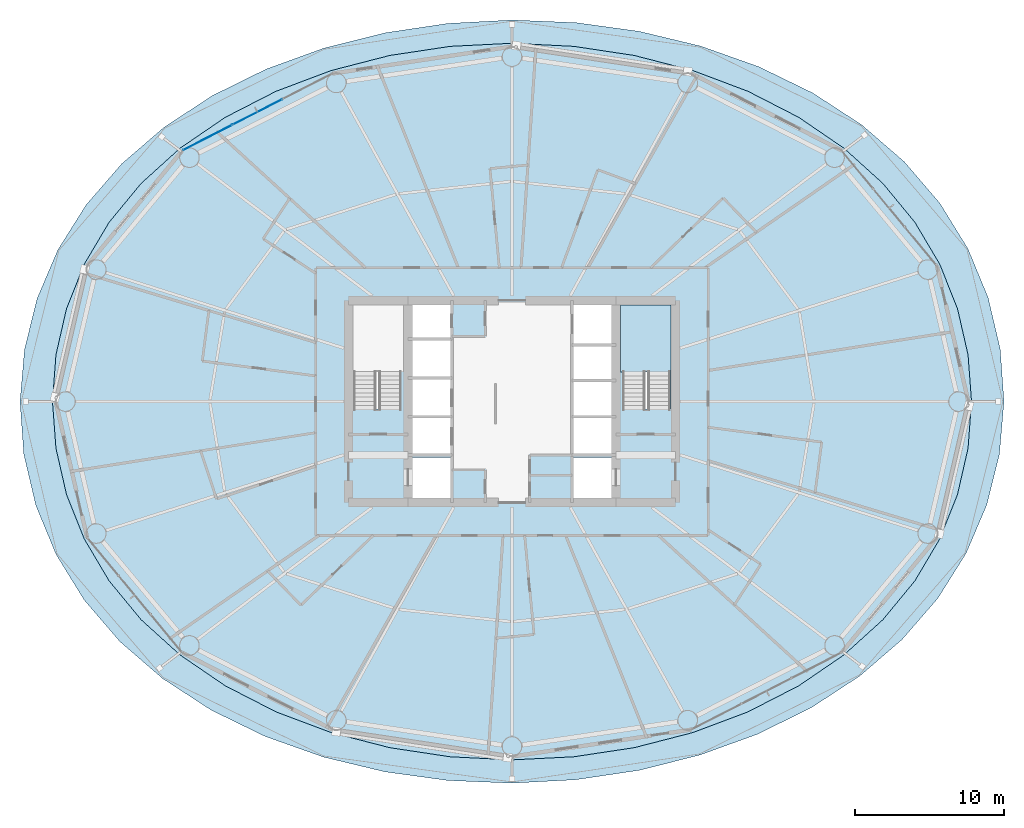
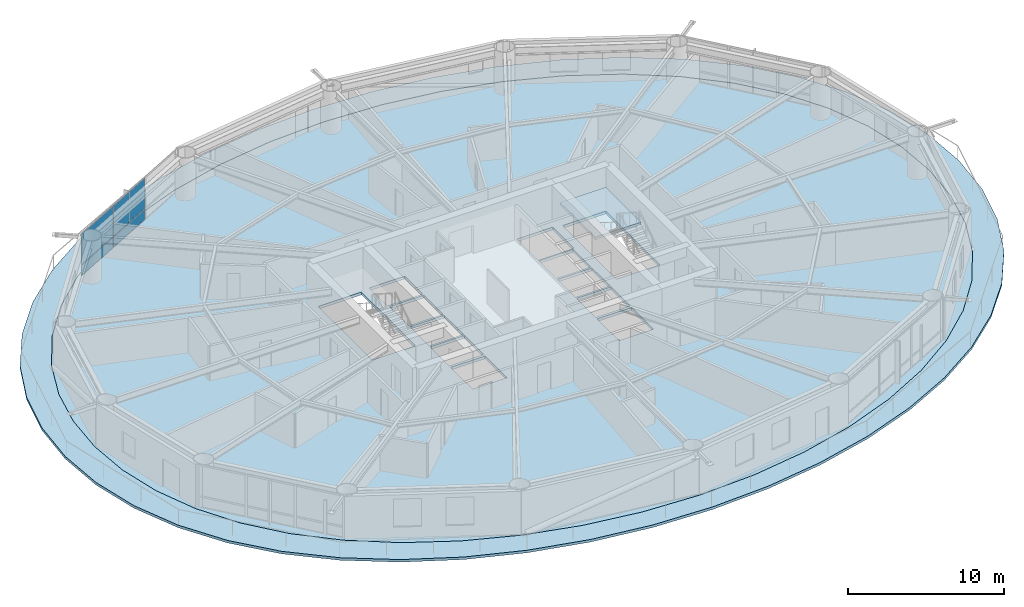
# One storey, part 17 of 26: 4 plates, 3 slabs, 2 elements without a shape of their own.
"""IFC4 building model written with IfcOpenShell, lengths in metres."""

from ifc_helpers import new_model, si_unit, direction, frame, origin, origin_2d, place, context, subcontext, project, spatial, polyline, rectangle, outline, extrude, material, layer, layer_set, type_object, element, aggregate, save


model = new_model("IFC4")

# Units and contexts
model_context = context("Model", 3, precision=1e-05, world=origin(), true_north=direction((0.0, 1.0)))
body_context = subcontext(model_context, "Body", "Model", "MODEL_VIEW")
ifc_project = project(units=[si_unit("LENGTHUNIT", "METRE"), si_unit("AREAUNIT", "SQUARE_METRE"), si_unit("VOLUMEUNIT", "CUBIC_METRE"), si_unit("PLANEANGLEUNIT", "RADIAN"), si_unit("MASSUNIT", "GRAM", prefix="KILO")], contexts=[model_context])

# Site, building, storey
site_placement = place(None, origin())
site = spatial("IfcSite", under=ifc_project, at=site_placement, CompositionType="ELEMENT")
building_placement = place(site_placement, origin())
building = spatial("IfcBuilding", under=site, at=building_placement, Name="Sarneth Arch Tower", CompositionType="ELEMENT")
storey_placement = place(building_placement, frame((0.0, 0.0, 60.60009765625)))
storey = spatial("IfcBuildingStorey", under=building, at=storey_placement, Name="L14", CompositionType="ELEMENT", Elevation=60.60009765625)

# Curtain wall, plates
ifc_material_1 = material(Name="Anodised aluminium Type AA25 and solar-control low-e laminated IGU", Category="aluminium")
ifc_layer_1 = layer(ifc_material_1, 0.159912109375)
ifc_layer_set_1 = layer_set([ifc_layer_1], Name="Anodised aluminium Type AA25 and solar-control low-e laminated IGU")
curtain_wall_type = type_object("IfcCurtainWallType", Name="CW-HOTEL-LOW", PredefinedType="NOTDEFINED", material=ifc_layer_set_1)
curtain_wall_placement = place(storey_placement, origin())
curtain_wall = element("IfcCurtainWall", 1, at=curtain_wall_placement, inside=storey, type_object=curtain_wall_type, Name="L14 Unitised curtain wall facet 06", PredefinedType="NOTDEFINED")
ifc_material_2 = material(Name="Solar-control low-e laminated IGU", Category="glass")
ifc_layer_2 = layer(ifc_material_2, 0.028076171875)
ifc_layer_set_2 = layer_set([ifc_layer_2], Name="Solar-control low-e laminated IGU")
plate_type = type_object("IfcPlateType", Name="CW-PANEL", PredefinedType="CURTAIN_PANEL", material=ifc_layer_set_2)
plate_1_placement = place(storey_placement, frame((30.8740234375, 61.473876953125, 0.059814453125), z_axis=(0.0, 0.0, 1.0), x_axis=(-0.889854100456, -0.456245197127, 0.0)))
plate_1 = element("IfcPlate", 2, at=plate_1_placement, type_object=plate_type, Name="Curtain wall glazed vision pane CW-L14-F06/P01-00", PredefinedType="CURTAIN_PANEL", context=body_context, shape_type="SweptSolid", body=[
    extrude(rectangle(XDim=3.721923828125, YDim=0.028076171875, at=origin_2d()), origin(), (0.0, 0.0, 1.0), 0.81005859375),
])
plate_2_placement = place(storey_placement, frame((30.8740234375, 61.473876953125, 0.93017578125), z_axis=(0.0, 0.0, 1.0), x_axis=(-0.889854100456, -0.456245197127, 0.0)))
plate_2 = element("IfcPlate", 3, at=plate_2_placement, type_object=plate_type, Name="Curtain wall glazed vision pane CW-L14-F06/P01-01", PredefinedType="CURTAIN_PANEL", context=body_context, shape_type="SweptSolid", body=[
    extrude(rectangle(XDim=3.721923828125, YDim=0.028076171875, at=origin_2d()), origin(), (0.0, 0.0, 1.0), 2.389892578125),
])
plate_3_placement = place(storey_placement, frame((27.52197265625, 59.75537109375, 0.059814453125), z_axis=(0.0, 0.0, 1.0), x_axis=(-0.889854100456, -0.456245197127, 0.0)))
plate_3 = element("IfcPlate", 4, at=plate_3_placement, type_object=plate_type, Name="Curtain wall glazed vision pane CW-L14-F06/P02-00", PredefinedType="CURTAIN_PANEL", context=body_context, shape_type="SweptSolid", body=[
    extrude(rectangle(XDim=3.69189453125, YDim=0.028076171875, at=origin_2d()), origin(), (0.0, 0.0, 1.0), 0.81005859375),
])
plate_4_placement = place(storey_placement, frame((27.52197265625, 59.75537109375, 0.93017578125), z_axis=(0.0, 0.0, 1.0), x_axis=(-0.889854100456, -0.456245197127, 0.0)))
plate_4 = element("IfcPlate", 5, at=plate_4_placement, type_object=plate_type, Name="Curtain wall glazed vision pane CW-L14-F06/P02-01", PredefinedType="CURTAIN_PANEL", context=body_context, shape_type="SweptSolid", body=[
    extrude(rectangle(XDim=3.69189453125, YDim=0.028076171875, at=origin_2d()), origin(), (0.0, 0.0, 1.0), 2.389892578125),
])
aggregate(curtain_wall, [plate_1, plate_2, plate_3, plate_4])

# Slab
ifc_material_3 = material(Name="Concrete C50/60", Category="concrete")
ifc_layer_3 = layer(ifc_material_3, 0.199951171875)
ifc_layer_set_3 = layer_set([ifc_layer_3], Name="Concrete C50/60")
slab_type_1 = type_object("IfcSlabType", Name="SLAB-BALC-200", PredefinedType="FLOOR", material=ifc_layer_set_3)
slab_1_placement = place(storey_placement, frame((0.0, 0.0, -0.2001953125)))
element("IfcSlab", 6, at=slab_1_placement, inside=storey, type_object=slab_type_1, Name="L14 Helical balcony band slab", PredefinedType="FLOOR", context=body_context, shape_type="SweptSolid", body=[
    extrude(outline(polyline([(81.09375, 42.0), (80.84033203125, 45.5322265625), (80.029541015625, 48.984619140625), (78.67041015625, 52.27734375), (76.779541015625, 55.345458984375), (74.382568359375, 58.13916015625), (71.516357421875, 60.61962890625), (68.232666015625, 62.757080078125), (64.595703125, 64.527587890625), (60.67919921875, 65.913818359375), (56.559326171875, 66.9033203125), (52.309814453125, 67.48828125), (48.0, 67.666015625), (43.6953125, 67.4365234375), (39.460693359375, 66.8046875), (35.36328125, 65.7783203125), (31.47412109375, 64.3681640625), (27.86474609375, 62.589111328125), (24.604248046875, 60.459228515625), (21.7529296875, 58.000244140625), (19.35791015625, 55.239013671875), (17.45361328125, 52.2080078125), (16.06494140625, 48.950439453125), (15.2109375, 45.523193359375), (14.90625, 42.0), (15.15966796875, 38.4677734375), (15.970458984375, 35.015380859375), (17.32958984375, 31.72265625), (19.220458984375, 28.654541015625), (21.617431640625, 25.86083984375), (24.483642578125, 23.38037109375), (27.767333984375, 21.242919921875), (31.404296875, 19.472412109375), (35.32080078125, 18.086181640625), (39.440673828125, 17.0966796875), (43.690185546875, 16.51171875), (48.0, 16.333984375), (52.3046875, 16.5634765625), (56.539306640625, 17.1953125), (60.63671875, 18.2216796875), (64.526123046875, 19.6318359375), (68.13525390625, 21.410888671875), (71.395751953125, 23.540771484375), (74.2470703125, 25.999755859375), (76.64208984375, 28.760986328125), (78.54638671875, 31.7919921875), (79.93505859375, 35.049560546875), (80.7890625, 38.476806640625), (81.09375, 42.0)]), holes=[polyline([(78.90966796875, 42.0), (78.675048828125, 45.145751953125), (77.9677734375, 48.237548828125), (76.780029296875, 51.22265625), (75.10595703125, 54.050048828125), (72.94873046875, 56.671142578125), (70.32861328125, 59.041259765625), (67.2841796875, 61.119873046875), (63.8720703125, 62.87109375), (60.162109375, 64.265380859375), (56.2294921875, 65.27880859375), (52.150634765625, 65.893798828125), (48.0, 66.10009765625), (43.849365234375, 65.893798828125), (39.7705078125, 65.27880859375), (35.837890625, 64.265380859375), (32.1279296875, 62.87109375), (28.7158203125, 61.119873046875), (25.67138671875, 59.041259765625), (23.05126953125, 56.671142578125), (20.89404296875, 54.050048828125), (19.219970703125, 51.22265625), (18.0322265625, 48.237548828125), (17.324951171875, 45.145751953125), (17.09033203125, 42.0), (17.324951171875, 38.854248046875), (18.0322265625, 35.762451171875), (19.219970703125, 32.77734375), (20.89404296875, 29.949951171875), (23.05126953125, 27.328857421875), (25.67138671875, 24.958740234375), (28.7158203125, 22.880126953125), (32.1279296875, 21.12890625), (35.837890625, 19.734619140625), (39.7705078125, 18.72119140625), (43.849365234375, 18.106201171875), (48.0, 17.89990234375), (52.150634765625, 18.106201171875), (56.2294921875, 18.72119140625), (60.162109375, 19.734619140625), (63.8720703125, 21.12890625), (67.2841796875, 22.880126953125), (70.32861328125, 24.958740234375), (72.94873046875, 27.328857421875), (75.10595703125, 29.949951171875), (76.780029296875, 32.77734375), (77.9677734375, 35.762451171875), (78.675048828125, 38.854248046875), (78.90966796875, 42.0)])]), origin(), (0.0, 0.0, 1.0), 0.2001953125),
])

# Stair, slab
ifc_material_4 = material(Name="Concrete C50/60", Category="concrete")
stair_type = type_object("IfcStairType", Name="STAIR-CORE-RC", PredefinedType="HALF_TURN_STAIR", material=ifc_material_4)
stair_placement = place(storey_placement, origin())
stair = element("IfcStair", 7, at=stair_placement, inside=storey, type_object=stair_type, Name="L14 Core Exit Stair 2", PredefinedType="HALF_TURN_STAIR")
ifc_material_5 = material(Name="Concrete C50/60", Category="concrete")
ifc_layer_4 = layer(ifc_material_5, 0.199951171875)
ifc_layer_set_4 = layer_set([ifc_layer_4], Name="Concrete C50/60")
slab_type_2 = type_object("IfcSlabType", Name="SLAB-LANDING-200", PredefinedType="LANDING", material=ifc_layer_set_4)
slab_2_placement = place(storey_placement, frame((0.0, 0.0, 1.599853515625)))
slab_2 = element("IfcSlab", 8, at=slab_2_placement, type_object=slab_type_2, Name="ST-2 landing 1", PredefinedType="LANDING", context=body_context, shape_type="SweptSolid", body=[
    extrude(outline(polyline([(55.300048828125, 43.985107421875), (58.699951171875, 43.985107421875), (58.699951171875, 48.5), (55.300048828125, 48.5), (55.300048828125, 43.985107421875)])), origin(), (0.0, 0.0, 1.0), 0.199951171875),
])
aggregate(stair, [slab_2])

# Slab
ifc_material_6 = material(Name="Concrete C50/60", Category="concrete")
ifc_layer_5 = layer(ifc_material_6, 0.219970703125)
ifc_layer_set_5 = layer_set([ifc_layer_5], Name="Concrete C50/60")
slab_type_3 = type_object("IfcSlabType", Name="SLAB-TOWER-220", PredefinedType="FLOOR", material=ifc_layer_set_5)
slab_3_placement = place(storey_placement, frame((0.0, 0.0, -0.22021484375)))
element("IfcSlab", 9, at=slab_3_placement, inside=storey, type_object=slab_type_3, Name="L14 Elliptical floor slab", PredefinedType="FLOOR", context=body_context, shape_type="SweptSolid", body=[
    extrude(outline(polyline([(78.90966796875, 42.0), (78.675048828125, 45.145751953125), (77.9677734375, 48.237548828125), (76.780029296875, 51.22265625), (75.10595703125, 54.050048828125), (72.94873046875, 56.671142578125), (70.32861328125, 59.041259765625), (67.2841796875, 61.119873046875), (63.8720703125, 62.87109375), (60.162109375, 64.265380859375), (56.2294921875, 65.27880859375), (52.150634765625, 65.893798828125), (48.0, 66.10009765625), (43.849365234375, 65.893798828125), (39.7705078125, 65.27880859375), (35.837890625, 64.265380859375), (32.1279296875, 62.87109375), (28.7158203125, 61.119873046875), (25.67138671875, 59.041259765625), (23.05126953125, 56.671142578125), (20.89404296875, 54.050048828125), (19.219970703125, 51.22265625), (18.0322265625, 48.237548828125), (17.324951171875, 45.145751953125), (17.09033203125, 42.0), (17.324951171875, 38.854248046875), (18.0322265625, 35.762451171875), (19.219970703125, 32.77734375), (20.89404296875, 29.949951171875), (23.05126953125, 27.328857421875), (25.67138671875, 24.958740234375), (28.7158203125, 22.880126953125), (32.1279296875, 21.12890625), (35.837890625, 19.734619140625), (39.7705078125, 18.72119140625), (43.849365234375, 18.106201171875), (48.0, 17.89990234375), (52.150634765625, 18.106201171875), (56.2294921875, 18.72119140625), (60.162109375, 19.734619140625), (63.8720703125, 21.12890625), (67.2841796875, 22.880126953125), (70.32861328125, 24.958740234375), (72.94873046875, 27.328857421875), (75.10595703125, 29.949951171875), (76.780029296875, 32.77734375), (77.9677734375, 35.762451171875), (78.675048828125, 38.854248046875), (78.90966796875, 42.0)]), holes=[polyline([(37.35009765625, 41.489990234375), (40.550048828125, 41.489990234375), (40.550048828125, 48.39990234375), (37.35009765625, 48.39990234375), (37.35009765625, 41.489990234375)]), polyline([(55.449951171875, 41.489990234375), (58.64990234375, 41.489990234375), (58.64990234375, 48.39990234375), (55.449951171875, 48.39990234375), (55.449951171875, 41.489990234375)]), polyline([(41.199951171875, 46.25), (43.85009765625, 46.25), (43.85009765625, 48.550048828125), (41.199951171875, 48.550048828125), (41.199951171875, 46.25)]), polyline([(41.300048828125, 35.449951171875), (43.85009765625, 35.449951171875), (43.85009765625, 38.25), (41.300048828125, 38.25), (41.300048828125, 35.449951171875)]), polyline([(52.14990234375, 35.449951171875), (54.699951171875, 35.449951171875), (54.699951171875, 38.25), (52.14990234375, 38.25), (52.14990234375, 35.449951171875)]), polyline([(52.14990234375, 45.85009765625), (54.800048828125, 45.85009765625), (54.800048828125, 48.550048828125), (52.14990234375, 48.550048828125), (52.14990234375, 45.85009765625)]), polyline([(41.300048828125, 38.449951171875), (43.85009765625, 38.449951171875), (43.85009765625, 40.89990234375), (41.300048828125, 40.89990234375), (41.300048828125, 38.449951171875)]), polyline([(41.300048828125, 41.050048828125), (43.85009765625, 41.050048828125), (43.85009765625, 43.5), (41.300048828125, 43.5), (41.300048828125, 41.050048828125)]), polyline([(41.300048828125, 43.64990234375), (43.85009765625, 43.64990234375), (43.85009765625, 46.10009765625), (41.300048828125, 46.10009765625), (41.300048828125, 43.64990234375)]), polyline([(52.14990234375, 38.449951171875), (54.699951171875, 38.449951171875), (54.699951171875, 40.89990234375), (52.14990234375, 40.89990234375), (52.14990234375, 38.449951171875)]), polyline([(52.14990234375, 41.050048828125), (54.699951171875, 41.050048828125), (54.699951171875, 43.35009765625), (52.14990234375, 43.35009765625), (52.14990234375, 41.050048828125)]), polyline([(52.14990234375, 43.5), (54.699951171875, 43.5), (54.699951171875, 45.75), (52.14990234375, 45.75), (52.14990234375, 43.5)])]), origin(), (0.0, 0.0, 1.0), 0.22021484375),
])

save(model, "model.ifc")
